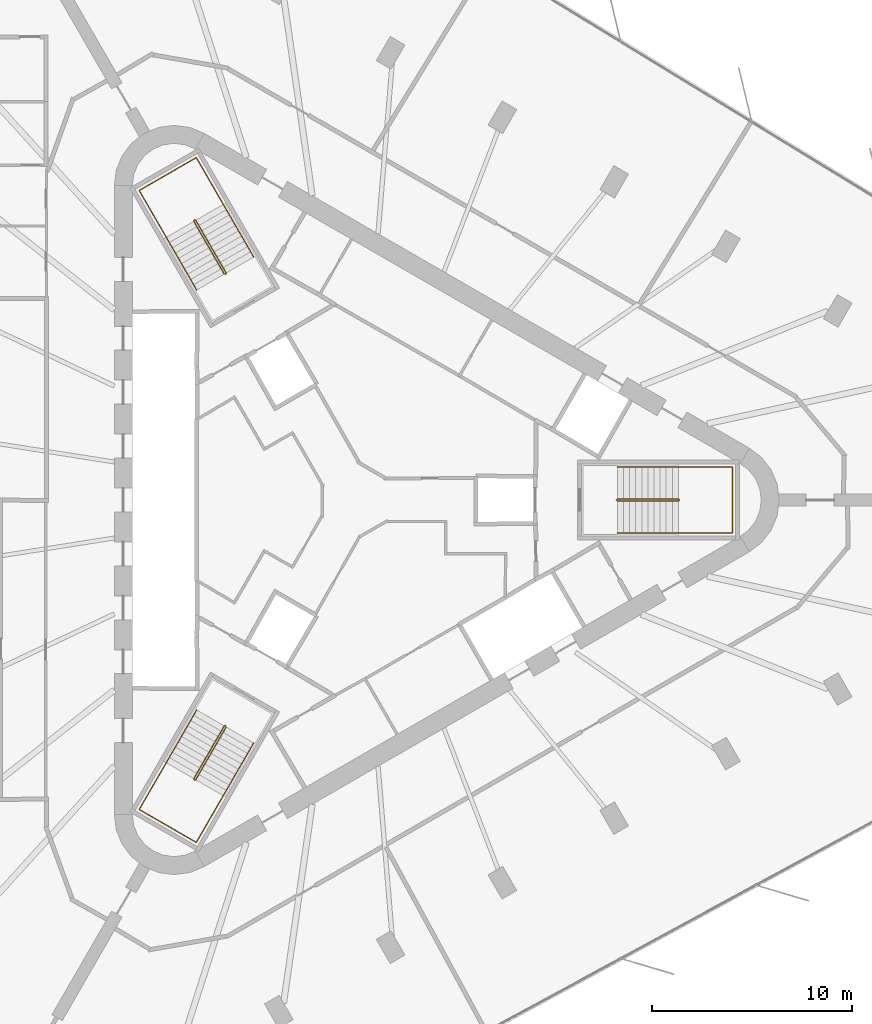
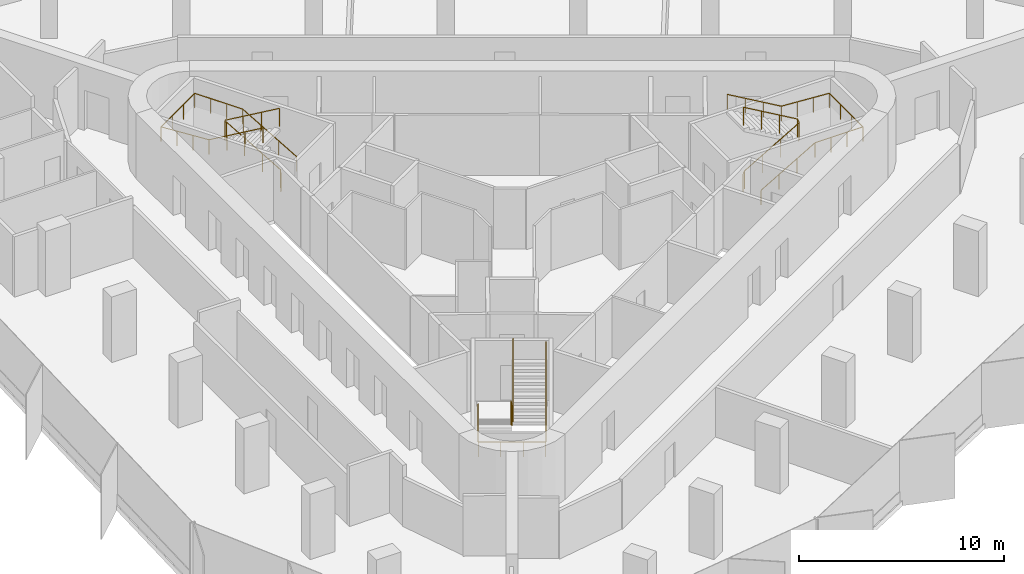
# One storey, part 13 of 13: 6 railings.
"""IFC4 building model written with IfcOpenShell, lengths in metres."""

from ifc_helpers import new_model, si_unit, direction, frame, origin, origin_2d, place, context, subcontext, project, spatial, circle, extrude, material, type_object, element, save


model = new_model("IFC4")

# Units and contexts
model_context = context("Model", 3, precision=1e-05, world=origin(), true_north=direction((0.0, 1.0)))
body_context = subcontext(model_context, "Body", "Model", "MODEL_VIEW")
ifc_project = project(units=[si_unit("LENGTHUNIT", "METRE"), si_unit("AREAUNIT", "SQUARE_METRE"), si_unit("VOLUMEUNIT", "CUBIC_METRE"), si_unit("PLANEANGLEUNIT", "RADIAN"), si_unit("MASSUNIT", "GRAM", prefix="KILO")], contexts=[model_context])

# Site, building, storey
site_placement = place(None, origin())
site = spatial("IfcSite", under=ifc_project, at=site_placement, CompositionType="ELEMENT")
building_placement = place(site_placement, origin())
building = spatial("IfcBuilding", under=site, at=building_placement, Name="Tanit Gate Tower", CompositionType="ELEMENT")
storey_placement = place(building_placement, frame((0.0, 0.0, 322.10009765625)))
storey = spatial("IfcBuildingStorey", under=building, at=storey_placement, Name="L72", CompositionType="ELEMENT", Elevation=322.10009765625)

# Railings
ifc_material_1 = material(Name="Stainless steel balustrade", Category="steel")
railing_type_1 = type_object("IfcRailingType", Name="INT-STAIR-GUARD", PredefinedType="GUARDRAIL", material=ifc_material_1)
railing_1_placement = place(storey_placement, frame((13.044921875, 0.0048828125, 0.0)))
element("IfcRailing", 1, at=railing_1_placement, inside=storey, type_object=railing_type_1, Name="L72 S1 stair guard 1", PredefinedType="GUARDRAIL", context=body_context, shape_type="SweptSolid", body=[
    extrude(circle(Radius=0.02392578125, at=origin_2d()), frame((0.0, 0.0, 1.076171875), z_axis=(0.0, -1.0, 0.0), x_axis=(1.0, 0.0, 0.0)), (0.0, 0.0, 1.0), 0.009765625),
    extrude(circle(Radius=0.02392578125, at=origin_2d()), frame((0.0, -0.009765625, 1.076171875), z_axis=(0.262233686654, -0.262233686654, 0.928691007369), x_axis=(0.707106781187, 0.707106781187, 0.0)), (0.0, 0.0, 1.0), 0.19091796875),
    extrude(circle(Radius=0.02392578125, at=origin_2d()), frame((0.050048828125, -0.059814453125, 1.25341796875), z_axis=(0.864648382064, 0.0, 0.502377522779), x_axis=(0.0, 1.0, 0.0)), (0.0, 0.0, 1.0), 3.528564453125),
    extrude(circle(Radius=0.02392578125, at=origin_2d()), frame((3.10107421875, -0.059814453125, 3.02587890625), z_axis=(0.707106781187, 0.707106781187, 0.0), x_axis=(-0.707106781187, 0.707106781187, 0.0)), (0.0, 0.0, 1.0), 0.07080078125),
    extrude(circle(Radius=0.02392578125, at=origin_2d()), frame((3.151123046875, -0.009765625, 3.02587890625), z_axis=(0.0, 1.0, 0.0), x_axis=(-1.0, 0.0, 0.0)), (0.0, 0.0, 1.0), 0.009765625),
    extrude(circle(Radius=0.02392578125, at=origin_2d()), frame((3.151123046875, 0.0, 3.02587890625), z_axis=(-0.262233686654, 0.262233686654, 0.928691007369), x_axis=(-0.707106781187, -0.707106781187, 0.0)), (0.0, 0.0, 1.0), 0.19091796875),
    extrude(circle(Radius=0.02392578125, at=origin_2d()), frame((3.10107421875, 0.050048828125, 3.203125), z_axis=(-0.864648382064, 0.0, 0.502377522779), x_axis=(0.0, -1.0, 0.0)), (0.0, 0.0, 1.0), 3.528564453125),
    extrude(circle(Radius=0.02099609375, at=origin_2d()), origin(), (0.0, 0.0, 1.0), 1.052001953125),
    extrude(circle(Radius=0.02099609375, at=origin_2d()), frame((0.0, -0.009765625, 0.0)), (0.0, 0.0, 1.0), 1.052001953125),
    extrude(circle(Radius=0.02099609375, at=origin_2d()), frame((0.050048828125, -0.059814453125, 0.17724609375)), (0.0, 0.0, 1.0), 1.052001953125),
    extrude(circle(Radius=0.02099609375, at=origin_2d()), frame((1.067138671875, -0.059814453125, 0.76806640625)), (0.0, 0.0, 1.0), 1.052001953125),
    extrude(circle(Radius=0.02099609375, at=origin_2d()), frame((2.083984375, -0.059814453125, 1.359130859375)), (0.0, 0.0, 1.0), 1.052001953125),
    extrude(circle(Radius=0.02099609375, at=origin_2d()), frame((3.10107421875, -0.059814453125, 1.949951171875)), (0.0, 0.0, 1.0), 1.052001953125),
    extrude(circle(Radius=0.02099609375, at=origin_2d()), frame((3.151123046875, -0.009765625, 1.949951171875)), (0.0, 0.0, 1.0), 1.052001953125),
    extrude(circle(Radius=0.02099609375, at=origin_2d()), frame((3.151123046875, 0.0, 1.949951171875)), (0.0, 0.0, 1.0), 1.052001953125),
    extrude(circle(Radius=0.02099609375, at=origin_2d()), frame((3.10107421875, 0.050048828125, 2.127197265625)), (0.0, 0.0, 1.0), 1.052001953125),
    extrude(circle(Radius=0.02099609375, at=origin_2d()), frame((2.083984375, 0.050048828125, 2.718017578125)), (0.0, 0.0, 1.0), 1.052001953125),
    extrude(circle(Radius=0.02099609375, at=origin_2d()), frame((1.067138671875, 0.050048828125, 3.30908203125)), (0.0, 0.0, 1.0), 1.052001953125),
    extrude(circle(Radius=0.02099609375, at=origin_2d()), frame((0.050048828125, 0.050048828125, 3.89990234375)), (0.0, 0.0, 1.0), 1.052001953125),
])
railing_2_placement = place(storey_placement, frame((-6.527099609375, 11.29345703125, 0.0)))
element("IfcRailing", 2, at=railing_2_placement, inside=storey, type_object=railing_type_1, Name="L72 S2 stair guard 1", PredefinedType="GUARDRAIL", context=body_context, shape_type="SweptSolid", body=[
    extrude(circle(Radius=0.02392578125, at=origin_2d()), frame((0.0, 0.0, 1.076171875), z_axis=(0.868243142124, 0.496138938357, 0.0), x_axis=(-0.496138938357, 0.868243142124, 0.0)), (0.0, 0.0, 1.0), 0.01171875),
    extrude(circle(Radius=0.02392578125, at=origin_2d()), frame((0.01025390625, 0.005859375, 1.076171875), z_axis=(0.095941116058, 0.358180166617, 0.928710003441), x_axis=(-0.965948051503, 0.258736085224, 0.0)), (0.0, 0.0, 1.0), 0.19091796875),
    extrude(circle(Radius=0.02392578125, at=origin_2d()), frame((0.028564453125, 0.07421875, 1.25341796875), z_axis=(-0.4322777601, 0.748681545756, 0.50260509465), x_axis=(-0.866012246495, -0.500022788402, 0.0)), (0.0, 0.0, 1.0), 3.527099609375),
    extrude(circle(Radius=0.02392578125, at=origin_2d()), frame((-1.49609375, 2.71484375, 3.02587890625), z_axis=(-0.965715946433, 0.259601060869, 0.0), x_axis=(-0.259601060869, -0.965715946433, 0.0)), (0.0, 0.0, 1.0), 0.070556640625),
    extrude(circle(Radius=0.02392578125, at=origin_2d()), frame((-1.564208984375, 2.733154296875, 3.02587890625), z_axis=(-0.873197702015, -0.487366159264, 0.0), x_axis=(0.487366159264, -0.873197702015, 0.0)), (0.0, 0.0, 1.0), 0.011962890625),
    extrude(circle(Radius=0.02392578125, at=origin_2d()), frame((-1.57470703125, 2.727294921875, 3.02587890625), z_axis=(-0.095941116058, -0.358180166617, 0.928710003441), x_axis=(0.965948051503, -0.258736085224, 0.0)), (0.0, 0.0, 1.0), 0.19091796875),
    extrude(circle(Radius=0.02392578125, at=origin_2d()), frame((-1.593017578125, 2.658935546875, 3.203125), z_axis=(0.4322777601, -0.748681545756, 0.50260509465), x_axis=(0.866012246495, 0.500022788402, 0.0)), (0.0, 0.0, 1.0), 3.527099609375),
    extrude(circle(Radius=0.02099609375, at=origin_2d()), origin(), (0.0, 0.0, 1.0), 1.052001953125),
    extrude(circle(Radius=0.02099609375, at=origin_2d()), frame((0.01025390625, 0.005859375, 0.0)), (0.0, 0.0, 1.0), 1.052001953125),
    extrude(circle(Radius=0.02099609375, at=origin_2d()), frame((0.028564453125, 0.07421875, 0.17724609375)), (0.0, 0.0, 1.0), 1.052001953125),
    extrude(circle(Radius=0.02099609375, at=origin_2d()), frame((-0.479736328125, 0.954345703125, 0.76806640625)), (0.0, 0.0, 1.0), 1.052001953125),
    extrude(circle(Radius=0.02099609375, at=origin_2d()), frame((-0.98779296875, 1.834716796875, 1.359130859375)), (0.0, 0.0, 1.0), 1.052001953125),
    extrude(circle(Radius=0.02099609375, at=origin_2d()), frame((-1.49609375, 2.71484375, 1.949951171875)), (0.0, 0.0, 1.0), 1.052001953125),
    extrude(circle(Radius=0.02099609375, at=origin_2d()), frame((-1.564208984375, 2.733154296875, 1.949951171875)), (0.0, 0.0, 1.0), 1.052001953125),
    extrude(circle(Radius=0.02099609375, at=origin_2d()), frame((-1.57470703125, 2.727294921875, 1.949951171875)), (0.0, 0.0, 1.0), 1.052001953125),
    extrude(circle(Radius=0.02099609375, at=origin_2d()), frame((-1.593017578125, 2.658935546875, 2.127197265625)), (0.0, 0.0, 1.0), 1.052001953125),
    extrude(circle(Radius=0.02099609375, at=origin_2d()), frame((-1.084716796875, 1.77880859375, 2.718017578125)), (0.0, 0.0, 1.0), 1.052001953125),
    extrude(circle(Radius=0.02099609375, at=origin_2d()), frame((-0.57666015625, 0.8984375, 3.30908203125)), (0.0, 0.0, 1.0), 1.052001953125),
    extrude(circle(Radius=0.02099609375, at=origin_2d()), frame((-0.068359375, 0.018310546875, 3.89990234375)), (0.0, 0.0, 1.0), 1.052001953125),
])
railing_3_placement = place(storey_placement, frame((-6.51806640625, -11.2998046875, 0.0)))
element("IfcRailing", 3, at=railing_3_placement, inside=storey, type_object=railing_type_1, Name="L72 S3 stair guard 1", PredefinedType="GUARDRAIL", context=body_context, shape_type="SweptSolid", body=[
    extrude(circle(Radius=0.02392578125, at=origin_2d()), frame((0.0, 0.0, 1.076171875), z_axis=(-0.874157276122, 0.485642931179, 0.0), x_axis=(-0.485642931179, -0.874157276122, 0.0)), (0.0, 0.0, 1.0), 0.010009765625),
    extrude(circle(Radius=0.02392578125, at=origin_2d()), frame((-0.0087890625, 0.0048828125, 1.076171875), z_axis=(-0.358223840744, -0.094673443625, 0.928823244215), x_axis=(0.255512919477, -0.966805641264, 0.0)), (0.0, 0.0, 1.0), 0.19091796875),
    extrude(circle(Radius=0.02392578125, at=origin_2d()), frame((-0.0771484375, -0.01318359375, 1.25341796875), z_axis=(-0.432289778901, -0.748827189027, 0.502377734411), x_axis=(0.866048339477, -0.499960272111, 0.0)), (0.0, 0.0, 1.0), 3.528564453125),
    extrude(circle(Radius=0.02392578125, at=origin_2d()), frame((-1.6025390625, -2.655517578125, 3.02587890625), z_axis=(0.258736085224, -0.965948051503, 0.0), x_axis=(0.965948051503, 0.258736085224, 0.0)), (0.0, 0.0, 1.0), 0.07080078125),
    extrude(circle(Radius=0.02392578125, at=origin_2d()), frame((-1.584228515625, -2.723876953125, 3.02587890625), z_axis=(0.868243142124, -0.496138938357, 0.0), x_axis=(0.496138938357, 0.868243142124, 0.0)), (0.0, 0.0, 1.0), 0.009765625),
    extrude(circle(Radius=0.02392578125, at=origin_2d()), frame((-1.57568359375, -2.728759765625, 3.02587890625), z_axis=(0.358180166617, 0.095941116058, 0.928710003441), x_axis=(-0.258736085224, 0.965948051503, 0.0)), (0.0, 0.0, 1.0), 0.19091796875),
    extrude(circle(Radius=0.02392578125, at=origin_2d()), frame((-1.50732421875, -2.71044921875, 3.203125), z_axis=(0.432368434633, 0.748774395838, 0.502388734816), x_axis=(-0.865993683553, 0.500054937028, 0.0)), (0.0, 0.0, 1.0), 3.528564453125),
    extrude(circle(Radius=0.02099609375, at=origin_2d()), origin(), (0.0, 0.0, 1.0), 1.052001953125),
    extrude(circle(Radius=0.02099609375, at=origin_2d()), frame((-0.0087890625, 0.0048828125, 0.0)), (0.0, 0.0, 1.0), 1.052001953125),
    extrude(circle(Radius=0.02099609375, at=origin_2d()), frame((-0.0771484375, -0.01318359375, 0.17724609375)), (0.0, 0.0, 1.0), 1.052001953125),
    extrude(circle(Radius=0.02099609375, at=origin_2d()), frame((-0.585693359375, -0.89404296875, 0.76806640625)), (0.0, 0.0, 1.0), 1.052001953125),
    extrude(circle(Radius=0.02099609375, at=origin_2d()), frame((-1.093994140625, -1.774658203125, 1.359130859375)), (0.0, 0.0, 1.0), 1.052001953125),
    extrude(circle(Radius=0.02099609375, at=origin_2d()), frame((-1.6025390625, -2.655517578125, 1.949951171875)), (0.0, 0.0, 1.0), 1.052001953125),
    extrude(circle(Radius=0.02099609375, at=origin_2d()), frame((-1.584228515625, -2.723876953125, 1.949951171875)), (0.0, 0.0, 1.0), 1.052001953125),
    extrude(circle(Radius=0.02099609375, at=origin_2d()), frame((-1.57568359375, -2.728759765625, 1.949951171875)), (0.0, 0.0, 1.0), 1.052001953125),
    extrude(circle(Radius=0.02099609375, at=origin_2d()), frame((-1.50732421875, -2.71044921875, 2.127197265625)), (0.0, 0.0, 1.0), 1.052001953125),
    extrude(circle(Radius=0.02099609375, at=origin_2d()), frame((-0.998779296875, -1.829833984375, 2.718017578125)), (0.0, 0.0, 1.0), 1.052001953125),
    extrude(circle(Radius=0.02099609375, at=origin_2d()), frame((-0.490234375, -0.948974609375, 3.30908203125)), (0.0, 0.0, 1.0), 1.052001953125),
    extrude(circle(Radius=0.02099609375, at=origin_2d()), frame((0.018310546875, -0.068359375, 3.89990234375)), (0.0, 0.0, 1.0), 1.052001953125),
])
ifc_material_2 = material(Name="Stainless steel handrail", Category="steel")
railing_type_2 = type_object("IfcRailingType", Name="INT-STAIR-HANDRAIL", PredefinedType="HANDRAIL", material=ifc_material_2)
railing_4_placement = place(storey_placement, frame((13.094970703125, -1.64990234375, 0.17724609375)))
element("IfcRailing", 4, at=railing_4_placement, inside=storey, type_object=railing_type_2, Name="L72 S1 stair handrail 1", PredefinedType="HANDRAIL", context=body_context, shape_type="SweptSolid", body=[
    extrude(circle(Radius=0.02392578125, at=origin_2d()), frame((0.0, 0.0, 0.8759765625), z_axis=(0.864648382064, 0.0, 0.502377522779), x_axis=(0.0, 1.0, 0.0)), (0.0, 0.0, 1.0), 3.528564453125),
    extrude(circle(Radius=0.02392578125, at=origin_2d()), frame((3.051025390625, 0.0, 2.6484375), z_axis=(1.0, 0.0, 0.0), x_axis=(0.0, 1.0, 0.0)), (0.0, 0.0, 1.0), 2.7041015625),
    extrude(circle(Radius=0.02392578125, at=origin_2d()), frame((5.755126953125, 0.0, 2.6484375), z_axis=(0.0, 1.0, 0.0), x_axis=(-1.0, 0.0, 0.0)), (0.0, 0.0, 1.0), 3.2998046875),
    extrude(circle(Radius=0.02392578125, at=origin_2d()), frame((5.755126953125, 3.2998046875, 2.6484375), z_axis=(-0.997858684482, 0.0, 0.065406771843), x_axis=(0.0, -1.0, 0.0)), (0.0, 0.0, 1.0), 2.7099609375),
    extrude(circle(Radius=0.02392578125, at=origin_2d()), frame((3.051025390625, 3.2998046875, 2.82568359375), z_axis=(-0.864648382064, 0.0, 0.502377522779), x_axis=(0.0, -1.0, 0.0)), (0.0, 0.0, 1.0), 3.528564453125),
    extrude(circle(Radius=0.02099609375, at=origin_2d()), origin(), (0.0, 0.0, 1.0), 0.851806640625),
    extrude(circle(Radius=0.02099609375, at=origin_2d()), frame((1.01708984375, 0.0, 0.5908203125)), (0.0, 0.0, 1.0), 0.851806640625),
    extrude(circle(Radius=0.02099609375, at=origin_2d()), frame((2.033935546875, 0.0, 1.181884765625)), (0.0, 0.0, 1.0), 0.851806640625),
    extrude(circle(Radius=0.02099609375, at=origin_2d()), frame((3.051025390625, 0.0, 1.772705078125)), (0.0, 0.0, 1.0), 0.851806640625),
    extrude(circle(Radius=0.02099609375, at=origin_2d()), frame((3.952392578125, 0.0, 1.772705078125)), (0.0, 0.0, 1.0), 0.851806640625),
    extrude(circle(Radius=0.02099609375, at=origin_2d()), frame((4.853759765625, 0.0, 1.772705078125)), (0.0, 0.0, 1.0), 0.851806640625),
    extrude(circle(Radius=0.02099609375, at=origin_2d()), frame((5.755126953125, 0.0, 1.772705078125)), (0.0, 0.0, 1.0), 0.851806640625),
    extrude(circle(Radius=0.02099609375, at=origin_2d()), frame((5.755126953125, 1.099853515625, 1.772705078125)), (0.0, 0.0, 1.0), 0.851806640625),
    extrude(circle(Radius=0.02099609375, at=origin_2d()), frame((5.755126953125, 2.199951171875, 1.772705078125)), (0.0, 0.0, 1.0), 0.851806640625),
    extrude(circle(Radius=0.02099609375, at=origin_2d()), frame((5.755126953125, 3.2998046875, 1.772705078125)), (0.0, 0.0, 1.0), 0.851806640625),
    extrude(circle(Radius=0.02099609375, at=origin_2d()), frame((4.853759765625, 3.2998046875, 1.831787109375)), (0.0, 0.0, 1.0), 0.851806640625),
    extrude(circle(Radius=0.02099609375, at=origin_2d()), frame((3.952392578125, 3.2998046875, 1.890869140625)), (0.0, 0.0, 1.0), 0.851806640625),
    extrude(circle(Radius=0.02099609375, at=origin_2d()), frame((3.051025390625, 3.2998046875, 1.949951171875)), (0.0, 0.0, 1.0), 0.851806640625),
    extrude(circle(Radius=0.02099609375, at=origin_2d()), frame((2.033935546875, 3.2998046875, 2.540771484375)), (0.0, 0.0, 1.0), 0.851806640625),
    extrude(circle(Radius=0.02099609375, at=origin_2d()), frame((1.01708984375, 3.2998046875, 3.1318359375)), (0.0, 0.0, 1.0), 0.851806640625),
    extrude(circle(Radius=0.02099609375, at=origin_2d()), frame((0.0, 3.2998046875, 3.72265625)), (0.0, 0.0, 1.0), 0.851806640625),
])
railing_5_placement = place(storey_placement, frame((-5.1181640625, 12.164794921875, 0.17724609375)))
element("IfcRailing", 5, at=railing_5_placement, inside=storey, type_object=railing_type_2, Name="L72 S2 stair handrail 1", PredefinedType="HANDRAIL", context=body_context, shape_type="SweptSolid", body=[
    extrude(circle(Radius=0.02392578125, at=origin_2d()), frame((0.0, 0.0, 0.8759765625), z_axis=(-0.432221472453, 0.748703947157, 0.502620133164), x_axis=(-0.866046917185, -0.499962735845, 0.0)), (0.0, 0.0, 1.0), 3.52685546875),
    extrude(circle(Radius=0.02392578125, at=origin_2d()), frame((-1.5244140625, 2.640625, 2.6484375), z_axis=(-0.500019123664, 0.86601436245, 0.0), x_axis=(-0.86601436245, -0.500019123664, 0.0)), (0.0, 0.0, 1.0), 2.70703125),
    extrude(circle(Radius=0.02392578125, at=origin_2d()), frame((-2.8779296875, 4.98486328125, 2.6484375), z_axis=(-0.866008176907, -0.50002983664, 0.0), x_axis=(0.50002983664, -0.866008176907, 0.0)), (0.0, 0.0, 1.0), 3.300048828125),
    extrude(circle(Radius=0.02392578125, at=origin_2d()), frame((-5.73583984375, 3.334716796875, 2.6484375), z_axis=(0.498989459885, -0.864141018102, 0.065343857842), x_axis=(0.865991810323, 0.500058181068, 0.0)), (0.0, 0.0, 1.0), 2.71240234375),
    extrude(circle(Radius=0.02392578125, at=origin_2d()), frame((-4.38232421875, 0.99072265625, 2.82568359375), z_axis=(0.432255358616, -0.748711963836, 0.502579048665), x_axis=(0.866032263162, 0.499988119021, 0.0)), (0.0, 0.0, 1.0), 3.527099609375),
    extrude(circle(Radius=0.02099609375, at=origin_2d()), origin(), (0.0, 0.0, 1.0), 0.851806640625),
    extrude(circle(Radius=0.02099609375, at=origin_2d()), frame((-0.508056640625, 0.880126953125, 0.5908203125)), (0.0, 0.0, 1.0), 0.851806640625),
    extrude(circle(Radius=0.02099609375, at=origin_2d()), frame((-1.016357421875, 1.760498046875, 1.181884765625)), (0.0, 0.0, 1.0), 0.851806640625),
    extrude(circle(Radius=0.02099609375, at=origin_2d()), frame((-1.5244140625, 2.640625, 1.772705078125)), (0.0, 0.0, 1.0), 0.851806640625),
    extrude(circle(Radius=0.02099609375, at=origin_2d()), frame((-1.9755859375, 3.422119140625, 1.772705078125)), (0.0, 0.0, 1.0), 0.851806640625),
    extrude(circle(Radius=0.02099609375, at=origin_2d()), frame((-2.4267578125, 4.203369140625, 1.772705078125)), (0.0, 0.0, 1.0), 0.851806640625),
    extrude(circle(Radius=0.02099609375, at=origin_2d()), frame((-2.8779296875, 4.98486328125, 1.772705078125)), (0.0, 0.0, 1.0), 0.851806640625),
    extrude(circle(Radius=0.02099609375, at=origin_2d()), frame((-3.83056640625, 4.434814453125, 1.772705078125)), (0.0, 0.0, 1.0), 0.851806640625),
    extrude(circle(Radius=0.02099609375, at=origin_2d()), frame((-4.783203125, 3.884765625, 1.772705078125)), (0.0, 0.0, 1.0), 0.851806640625),
    extrude(circle(Radius=0.02099609375, at=origin_2d()), frame((-5.73583984375, 3.334716796875, 1.772705078125)), (0.0, 0.0, 1.0), 0.851806640625),
    extrude(circle(Radius=0.02099609375, at=origin_2d()), frame((-5.28466796875, 2.553466796875, 1.831787109375)), (0.0, 0.0, 1.0), 0.851806640625),
    extrude(circle(Radius=0.02099609375, at=origin_2d()), frame((-4.83349609375, 1.77197265625, 1.890869140625)), (0.0, 0.0, 1.0), 0.851806640625),
    extrude(circle(Radius=0.02099609375, at=origin_2d()), frame((-4.38232421875, 0.99072265625, 1.949951171875)), (0.0, 0.0, 1.0), 0.851806640625),
    extrude(circle(Radius=0.02099609375, at=origin_2d()), frame((-3.8740234375, 0.1103515625, 2.540771484375)), (0.0, 0.0, 1.0), 0.851806640625),
    extrude(circle(Radius=0.02099609375, at=origin_2d()), frame((-3.365966796875, -0.769775390625, 3.1318359375)), (0.0, 0.0, 1.0), 0.851806640625),
    extrude(circle(Radius=0.02099609375, at=origin_2d()), frame((-2.857666015625, -1.650146484375, 3.72265625)), (0.0, 0.0, 1.0), 0.851806640625),
])
railing_6_placement = place(storey_placement, frame((-7.9765625, -10.515625, 0.17724609375)))
element("IfcRailing", 6, at=railing_6_placement, inside=storey, type_object=railing_type_2, Name="L72 S3 stair handrail 1", PredefinedType="HANDRAIL", context=body_context, shape_type="SweptSolid", body=[
    extrude(circle(Radius=0.02392578125, at=origin_2d()), frame((0.0, 0.0, 0.8759765625), z_axis=(-0.432289778901, -0.748827189027, 0.502377734411), x_axis=(0.866048339477, -0.499960272111, 0.0)), (0.0, 0.0, 1.0), 3.528564453125),
    extrude(circle(Radius=0.02392578125, at=origin_2d()), frame((-1.525390625, -2.642333984375, 2.6484375), z_axis=(-0.50004290449, -0.866000631449, 0.0), x_axis=(0.866000631449, -0.50004290449, 0.0)), (0.0, 0.0, 1.0), 2.703857421875),
    extrude(circle(Radius=0.02392578125, at=origin_2d()), frame((-2.87744140625, -4.98388671875, 2.6484375), z_axis=(0.866008176907, -0.50002983664, 0.0), x_axis=(0.50002983664, 0.866008176907, 0.0)), (0.0, 0.0, 1.0), 3.300048828125),
    extrude(circle(Radius=0.02392578125, at=origin_2d()), frame((-0.01953125, -6.634033203125, 2.6484375), z_axis=(0.498933124603, 0.864168748861, 0.065407267689), x_axis=(-0.866023205937, 0.500003806764, 0.0)), (0.0, 0.0, 1.0), 2.7099609375),
    extrude(circle(Radius=0.02392578125, at=origin_2d()), frame((1.33251953125, -4.292236328125, 2.82568359375), z_axis=(0.432289778901, 0.748827189027, 0.502377734411), x_axis=(-0.866048339477, 0.499960272111, 0.0)), (0.0, 0.0, 1.0), 3.528564453125),
    extrude(circle(Radius=0.02099609375, at=origin_2d()), origin(), (0.0, 0.0, 1.0), 0.851806640625),
    extrude(circle(Radius=0.02099609375, at=origin_2d()), frame((-0.508544921875, -0.880859375, 0.5908203125)), (0.0, 0.0, 1.0), 0.851806640625),
    extrude(circle(Radius=0.02099609375, at=origin_2d()), frame((-1.016845703125, -1.761474609375, 1.181884765625)), (0.0, 0.0, 1.0), 0.851806640625),
    extrude(circle(Radius=0.02099609375, at=origin_2d()), frame((-1.525390625, -2.642333984375, 1.772705078125)), (0.0, 0.0, 1.0), 0.851806640625),
    extrude(circle(Radius=0.02099609375, at=origin_2d()), frame((-1.97607421875, -3.4228515625, 1.772705078125)), (0.0, 0.0, 1.0), 0.851806640625),
    extrude(circle(Radius=0.02099609375, at=origin_2d()), frame((-2.4267578125, -4.203369140625, 1.772705078125)), (0.0, 0.0, 1.0), 0.851806640625),
    extrude(circle(Radius=0.02099609375, at=origin_2d()), frame((-2.87744140625, -4.98388671875, 1.772705078125)), (0.0, 0.0, 1.0), 0.851806640625),
    extrude(circle(Radius=0.02099609375, at=origin_2d()), frame((-1.9248046875, -5.533935546875, 1.772705078125)), (0.0, 0.0, 1.0), 0.851806640625),
    extrude(circle(Radius=0.02099609375, at=origin_2d()), frame((-0.97216796875, -6.083984375, 1.772705078125)), (0.0, 0.0, 1.0), 0.851806640625),
    extrude(circle(Radius=0.02099609375, at=origin_2d()), frame((-0.01953125, -6.634033203125, 1.772705078125)), (0.0, 0.0, 1.0), 0.851806640625),
    extrude(circle(Radius=0.02099609375, at=origin_2d()), frame((0.43115234375, -5.853515625, 1.831787109375)), (0.0, 0.0, 1.0), 0.851806640625),
    extrude(circle(Radius=0.02099609375, at=origin_2d()), frame((0.8818359375, -5.07275390625, 1.890869140625)), (0.0, 0.0, 1.0), 0.851806640625),
    extrude(circle(Radius=0.02099609375, at=origin_2d()), frame((1.33251953125, -4.292236328125, 1.949951171875)), (0.0, 0.0, 1.0), 0.851806640625),
    extrude(circle(Radius=0.02099609375, at=origin_2d()), frame((1.841064453125, -3.411376953125, 2.540771484375)), (0.0, 0.0, 1.0), 0.851806640625),
    extrude(circle(Radius=0.02099609375, at=origin_2d()), frame((2.349365234375, -2.53076171875, 3.1318359375)), (0.0, 0.0, 1.0), 0.851806640625),
    extrude(circle(Radius=0.02099609375, at=origin_2d()), frame((2.85791015625, -1.64990234375, 3.72265625)), (0.0, 0.0, 1.0), 0.851806640625),
])

save(model, "model.ifc")
